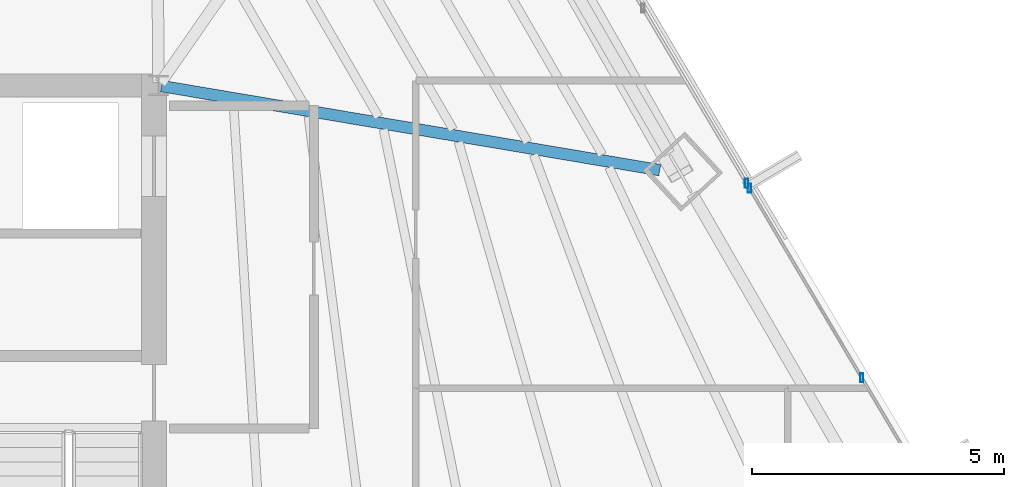
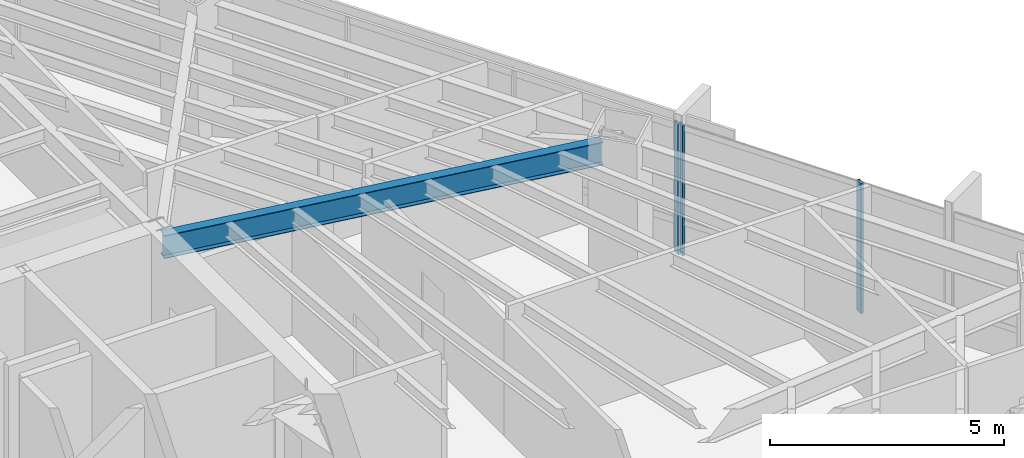
# One storey, part 21 of 37: 3 members, 1 beam, 2 elements without a shape of their own.
"""IFC4 building model written with IfcOpenShell, lengths in metres."""

from ifc_helpers import new_model, si_unit, direction, frame, origin, origin_2d, place, context, subcontext, project, spatial, hollow_rectangle, i_section, extrude, source, transform, mapped, material, material_profile, profile_set, type_object, type_shapes, element, aggregate, save


model = new_model("IFC4")

# Units and contexts
model_context = context("Model", 3, precision=1e-05, world=origin(), true_north=direction((0.0, 1.0)))
body_context = subcontext(model_context, "Body", "Model", "MODEL_VIEW")
ifc_project = project(units=[si_unit("LENGTHUNIT", "METRE"), si_unit("AREAUNIT", "SQUARE_METRE"), si_unit("VOLUMEUNIT", "CUBIC_METRE"), si_unit("PLANEANGLEUNIT", "RADIAN"), si_unit("MASSUNIT", "GRAM", prefix="KILO")], contexts=[model_context])

# Site, building, storey
site_placement = place(None, origin())
site = spatial("IfcSite", under=ifc_project, at=site_placement, CompositionType="ELEMENT")
building_placement = place(site_placement, origin())
building = spatial("IfcBuilding", under=site, at=building_placement, Name="Caelisora Broadcast Tower", CompositionType="ELEMENT")
storey_placement = place(building_placement, frame((0.0, 0.0, 105.39990234375)))
storey = spatial("IfcBuildingStorey", under=building, at=storey_placement, Name="L27", CompositionType="ELEMENT", Elevation=105.39990234375)

# Beam
ifc_material_1 = material(Name="Steel Grade 350 (AS/NZS 3679.1)", Category="steel")
ifc_material_profile_1 = material_profile(ifc_material_1, i_section(OverallWidth=0.22802734375, OverallDepth=0.602294921875, WebThickness=0.010498046875, FlangeThickness=0.014892578125, at=origin_2d()), Name="Steel Grade 350 (AS/NZS 3679.1)")
ifc_profile_set_1 = profile_set([ifc_material_profile_1], Name="Steel Grade 350 (AS/NZS 3679.1)")
beam_type = type_object("IfcBeamType", Name="PG04", PredefinedType="BEAM", material=ifc_profile_set_1)
shared_shape_1 = source(origin(), body_context, "Body", "SweptSolid", [
    extrude(i_section(OverallWidth=0.22802734375, OverallDepth=0.602294921875, WebThickness=0.010498046875, FlangeThickness=0.014892578125, at=origin_2d()), origin(), (0.0, 0.0, 1.0), 10.0185546875),
])
type_shapes(beam_type, [shared_shape_1])
beam_placement = place(storey_placement, frame((45.55908203125, 29.989990234375, 3.098876953125), z_axis=(0.986051972766, -0.166437697064, 0.0), x_axis=(0.166437697064, 0.986051972766, 0.0)))
element("IfcBeam", 1, at=beam_placement, inside=storey, type_object=beam_type, Name="L27 beam PG04", PredefinedType="BEAM", context=body_context, shape_type="MappedRepresentation", body=[
    mapped(shared_shape_1, transform((0.0, 0.0, 0.0), scale=1.0)),
])

# Curtain wall, member
ifc_material_2 = material(Name="Unitised Aluminium Insulated Shadow-Box Spandrel Curtain Wall", Category="aluminium")
curtain_wall_type_1 = type_object("IfcCurtainWallType", Name="CW-SP1", PredefinedType="NOTDEFINED", material=ifc_material_2)
curtain_wall_1_placement = place(storey_placement, origin())
curtain_wall_1 = element("IfcCurtainWall", 2, at=curtain_wall_1_placement, inside=storey, type_object=curtain_wall_type_1, Name="L27 curtain wall CW-SP1", PredefinedType="NOTDEFINED")
ifc_material_3 = material(Name="Aluminium 6063-T6 Anodised Terracotta Bronze", Category="aluminium")
ifc_material_profile_2 = material_profile(ifc_material_3, hollow_rectangle(XDim=0.06494140625, YDim=0.179931640625, WallThickness=0.00341796875, at=origin_2d()), Name="Aluminium 6063-T6 Anodised Terracotta Bronze")
ifc_profile_set_2 = profile_set([ifc_material_profile_2], Name="Aluminium 6063-T6 Anodised Terracotta Bronze")
member_type = type_object("IfcMemberType", Name="CWM-02", PredefinedType="MULLION", material=ifc_profile_set_2)
shared_shape_2 = source(origin(), body_context, "Body", "SweptSolid", [
    extrude(hollow_rectangle(XDim=0.06494140625, YDim=0.179931640625, WallThickness=0.00341796875, at=origin_2d()), origin(), (0.0, 0.0, 1.0), 3.400146484375),
])
type_shapes(member_type, [shared_shape_2])
member_1_placement = place(storey_placement, frame((57.1591796875, 28.062744140625, 0.0), z_axis=(0.0, 0.0, 1.0), x_axis=(1.0, 0.0, 0.0)))
member_1 = element("IfcMember", 3, at=member_1_placement, type_object=member_type, Name="L27-CW-B02 mullion #3", PredefinedType="MULLION", context=body_context, shape_type="MappedRepresentation", body=[
    mapped(shared_shape_2, transform((0.0, 0.0, 0.0), scale=1.0)),
])
aggregate(curtain_wall_1, [member_1])

# Curtain wall, members
ifc_material_4 = material(Name="Unitised Aluminium and Low-E Glass Curtain Wall", Category="glass")
curtain_wall_type_2 = type_object("IfcCurtainWallType", Name="CW-Z2", PredefinedType="NOTDEFINED", material=ifc_material_4)
curtain_wall_2_placement = place(storey_placement, origin())
curtain_wall_2 = element("IfcCurtainWall", 4, at=curtain_wall_2_placement, inside=storey, type_object=curtain_wall_type_2, Name="L27 curtain wall CW-Z2", PredefinedType="NOTDEFINED")
member_2_placement = place(storey_placement, frame((57.21533203125, 27.968017578125, 0.0), z_axis=(0.0, 0.0, 1.0), x_axis=(1.0, 0.0, 0.0)))
member_2 = element("IfcMember", 5, at=member_2_placement, type_object=member_type, Name="L27-CW-B03 mullion #0", PredefinedType="MULLION", context=body_context, shape_type="MappedRepresentation", body=[
    mapped(shared_shape_2, transform((0.0, 0.0, 0.0), scale=1.0)),
])
member_3_placement = place(storey_placement, frame((59.443603515625, 24.204345703125, 0.0), z_axis=(0.0, 0.0, 1.0), x_axis=(1.0, 0.0, 0.0)))
member_3 = element("IfcMember", 6, at=member_3_placement, type_object=member_type, Name="L27-CW-B03 mullion #1", PredefinedType="MULLION", context=body_context, shape_type="MappedRepresentation", body=[
    mapped(shared_shape_2, transform((0.0, 0.0, 0.0), scale=1.0)),
])
aggregate(curtain_wall_2, [member_2, member_3])

save(model, "model.ifc")
